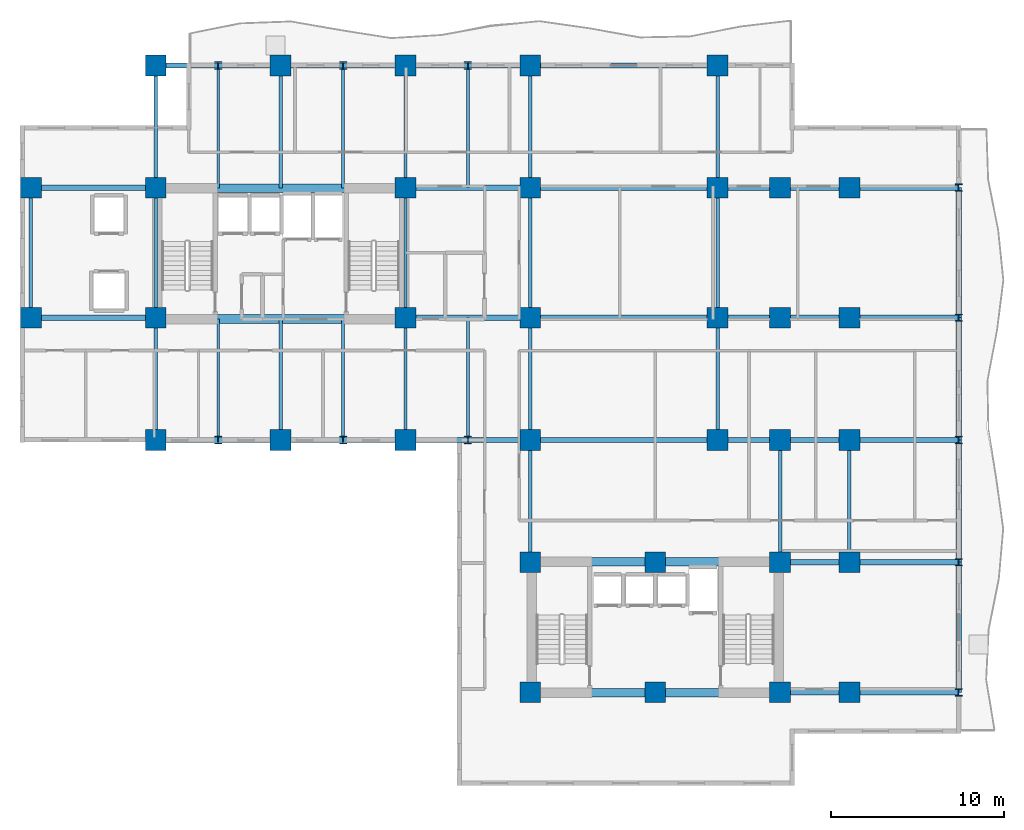
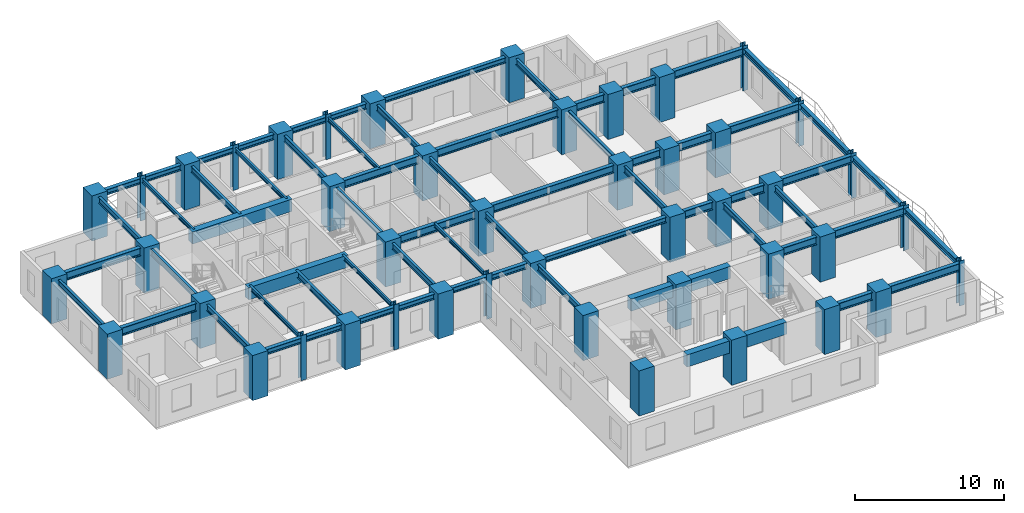
# One storey, part 1 of 11: 65 beams, 45 columns.
"""IFC4 building model written with IfcOpenShell, lengths in metres."""

from ifc_helpers import new_model, si_unit, direction, frame, origin, origin_2d, place, context, subcontext, project, spatial, rectangle, i_section, extrude, source, transform, mapped, material, material_profile, profile_set, type_object, element, save


model = new_model("IFC4")

# Units and contexts
model_context = context("Model", 3, precision=1e-05, world=origin(), true_north=direction((0.0, 1.0)))
body_context = subcontext(model_context, "Body", "Model", "MODEL_VIEW")
ifc_project = project(units=[si_unit("LENGTHUNIT", "METRE"), si_unit("AREAUNIT", "SQUARE_METRE"), si_unit("VOLUMEUNIT", "CUBIC_METRE"), si_unit("PLANEANGLEUNIT", "RADIAN"), si_unit("MASSUNIT", "GRAM", prefix="KILO")], contexts=[model_context])

# Site, building, storey
site_placement = place(None, origin())
site = spatial("IfcSite", under=ifc_project, at=site_placement, CompositionType="ELEMENT")
building_placement = place(site_placement, origin())
building = spatial("IfcBuilding", under=site, at=building_placement, Name="Kaliganga Portal Commons", CompositionType="ELEMENT")
storey_placement = place(building_placement, frame((0.0, 0.0, 115.60009765625)))
storey = spatial("IfcBuildingStorey", under=building, at=storey_placement, Name="L29", CompositionType="ELEMENT", Elevation=115.60009765625)

# Columns
ifc_material_1 = material(Name="Concrete C60/75", Category="concrete")
ifc_material_profile_1 = material_profile(ifc_material_1, rectangle(XDim=1.199951171875, YDim=1.199951171875, at=origin_2d()), Name="RC 1200x1200")
ifc_profile_set_1 = profile_set([ifc_material_profile_1], Name="Concrete C60/75")
column_type_1 = type_object("IfcColumnType", Name="COL-MEGA-Z2", PredefinedType="COLUMN", material=ifc_profile_set_1)
shared_shape_1 = source(origin(), body_context, "Body", "SweptSolid", [
    extrude(rectangle(XDim=1.199951171875, YDim=1.199951171875, at=origin_2d()), origin(), (0.0, 0.0, 1.0), 3.699951171875),
])
for number, where, z_axis, x_axis, name in (
    (1, (7.199951171875, 28.64990234375, 0.0), (0.0, 0.0, 1.0), (1.0, 0.0, 0.0), "Column MC-03 L29"),
    (2, (7.199951171875, 36.14990234375, 0.0), (0.0, 0.0, 1.0), (1.0, 0.0, 0.0), "Column MC-03 L29"),
    (3, (14.39990234375, 21.60009765625, 0.0), (0.0, 0.0, 1.0), (1.0, 0.0, 0.0), "Column MC-03 L29"),
    (4, (14.39990234375, 28.64990234375, 0.0), (0.0, 0.0, 1.0), (1.0, 0.0, 0.0), "Column MC-03 L29"),
    (5, (14.39990234375, 36.14990234375, 0.0), (0.0, 0.0, 1.0), (1.0, 0.0, 0.0), "Column MC-03 L29"),
    (6, (14.39990234375, 43.199951171875, 0.0), (0.0, 0.0, 1.0), (1.0, 0.0, 0.0), "Column MC-03 L29"),
    (7, (21.60009765625, 21.60009765625, 0.0), (0.0, 0.0, 1.0), (1.0, 0.0, 0.0), "Column MC-03 L29"),
    (8, (21.60009765625, 43.199951171875, 0.0), (0.0, 0.0, 1.0), (1.0, 0.0, 0.0), "Column MC-03 L29"),
    (9, (28.800048828125, 21.60009765625, 0.0), (0.0, 0.0, 1.0), (1.0, 0.0, 0.0), "Column MC-03 L29"),
    (10, (28.800048828125, 28.64990234375, 0.0), (0.0, 0.0, 1.0), (1.0, 0.0, 0.0), "Column MC-03 L29"),
    (11, (28.800048828125, 36.14990234375, 0.0), (0.0, 0.0, 1.0), (1.0, 0.0, 0.0), "Column MC-03 L29"),
    (12, (28.800048828125, 43.199951171875, 0.0), (0.0, 0.0, 1.0), (1.0, 0.0, 0.0), "Column MC-03 L29"),
    (13, (36.0, 21.60009765625, 0.0), (0.0, 0.0, 1.0), (1.0, 0.0, 0.0), "Column MC-03 L29"),
    (14, (36.0, 43.199951171875, 0.0), (0.0, 0.0, 1.0), (1.0, 0.0, 0.0), "Column MC-03 L29"),
    (15, (36.0, 28.64990234375, 0.0), (0.0, 0.0, 1.0), (1.0, 0.0, 0.0), "Column MC-03 L29"),
    (16, (36.0, 36.14990234375, 0.0), (0.0, 0.0, 1.0), (1.0, 0.0, 0.0), "Column MC-03 L29"),
    (17, (46.800048828125, 21.60009765625, 0.0), (0.0, 0.0, 1.0), (1.0, 0.0, 0.0), "Column MC-03 L29"),
    (18, (46.800048828125, 28.64990234375, 0.0), (0.0, 0.0, 1.0), (1.0, 0.0, 0.0), "Column MC-03 L29"),
    (19, (46.800048828125, 36.14990234375, 0.0), (0.0, 0.0, 1.0), (1.0, 0.0, 0.0), "Column MC-03 L29"),
    (20, (46.800048828125, 43.199951171875, 0.0), (0.0, 0.0, 1.0), (1.0, 0.0, 0.0), "Column MC-03 L29"),
    (21, (36.0, 7.050048828125, 0.0), (0.0, 0.0, 1.0), (1.0, 0.0, 0.0), "Column MC-03 L29"),
    (22, (36.0, 14.550048828125, 0.0), (0.0, 0.0, 1.0), (1.0, 0.0, 0.0), "Column MC-03 L29"),
    (23, (43.199951171875, 7.050048828125, 0.0), (0.0, 0.0, 1.0), (1.0, 0.0, 0.0), "Column MC-03 L29"),
    (24, (43.199951171875, 14.550048828125, 0.0), (0.0, 0.0, 1.0), (1.0, 0.0, 0.0), "Column MC-03 L29"),
    (25, (50.39990234375, 7.050048828125, 0.0), (0.0, 0.0, 1.0), (1.0, 0.0, 0.0), "Column MC-03 L29"),
    (26, (50.39990234375, 14.550048828125, 0.0), (0.0, 0.0, 1.0), (1.0, 0.0, 0.0), "Column MC-03 L29"),
    (27, (50.39990234375, 21.60009765625, 0.0), (0.0, 0.0, 1.0), (1.0, 0.0, 0.0), "Column MC-03 L29"),
    (28, (50.39990234375, 28.64990234375, 0.0), (0.0, 0.0, 1.0), (1.0, 0.0, 0.0), "Column MC-03 L29"),
    (29, (50.39990234375, 36.14990234375, 0.0), (0.0, 0.0, 1.0), (1.0, 0.0, 0.0), "Column MC-03 L29"),
    (30, (54.39990234375, 7.050048828125, 0.0), (0.0, 0.0, 1.0), (1.0, 0.0, 0.0), "Column MC-03 L29"),
    (31, (54.39990234375, 14.550048828125, 0.0), (0.0, 0.0, 1.0), (1.0, 0.0, 0.0), "Column MC-03 L29"),
    (32, (54.39990234375, 21.60009765625, 0.0), (0.0, 0.0, 1.0), (1.0, 0.0, 0.0), "Column MC-03 L29"),
    (33, (54.39990234375, 28.64990234375, 0.0), (0.0, 0.0, 1.0), (1.0, 0.0, 0.0), "Column MC-03 L29"),
    (34, (54.39990234375, 36.14990234375, 0.0), (0.0, 0.0, 1.0), (1.0, 0.0, 0.0), "Column MC-03 L29"),
):
    element("IfcColumn", number, at=place(storey_placement, frame(where, z_axis=z_axis, x_axis=x_axis)), inside=storey, type_object=column_type_1, Name=name, PredefinedType="COLUMN", context=body_context, shape_type="MappedRepresentation", body=[
        mapped(shared_shape_1, transform((0.0, 0.0, 0.0), x_axis=(1.0, 0.0, 0.0), y_axis=(0.0, 1.0, 0.0), z_axis=(0.0, 0.0, 1.0), scale=1.0)),
    ])
ifc_material_2 = material(Name="Structural steel S460M", Category="steel")
ifc_material_profile_2 = material_profile(ifc_material_2, i_section(OverallWidth=0.408935546875, OverallDepth=0.429931640625, WebThickness=0.0244140625, FlangeThickness=0.033447265625, FilletRadius=0.014892578125, at=origin_2d()), Name="HD 400x421")
ifc_profile_set_2 = profile_set([ifc_material_profile_2], Name="Structural steel S460M wide-flange")
column_type_2 = type_object("IfcColumnType", Name="COL-TUBE-B2", PredefinedType="COLUMN", material=ifc_profile_set_2)
shared_shape_2 = source(origin(), body_context, "Body", "SweptSolid", [
    extrude(i_section(OverallWidth=0.408935546875, OverallDepth=0.429931640625, WebThickness=0.0244140625, FlangeThickness=0.033447265625, FilletRadius=0.014892578125, at=origin_2d()), origin(), (0.0, 0.0, 1.0), 3.699951171875),
])
for number, where, z_axis, x_axis, name in (
    (35, (18.0, 21.60009765625, 0.0), (0.0, 0.0, 1.0), (1.0, 0.0, 0.0), "Column TC-02 L29"),
    (36, (18.0, 43.199951171875, 0.0), (0.0, 0.0, 1.0), (1.0, 0.0, 0.0), "Column TC-02 L29"),
    (37, (25.199951171875, 21.60009765625, 0.0), (0.0, 0.0, 1.0), (1.0, 0.0, 0.0), "Column TC-02 L29"),
    (38, (25.199951171875, 43.199951171875, 0.0), (0.0, 0.0, 1.0), (1.0, 0.0, 0.0), "Column TC-02 L29"),
    (39, (32.39990234375, 21.60009765625, 0.0), (0.0, 0.0, 1.0), (1.0, 0.0, 0.0), "Column TC-02 L29"),
    (40, (32.39990234375, 43.199951171875, 0.0), (0.0, 0.0, 1.0), (1.0, 0.0, 0.0), "Column TC-02 L29"),
    (41, (60.699951171875, 7.050048828125, 0.0), (0.0, 0.0, 1.0), (1.0, 0.0, 0.0), "Column TC-02 L29"),
    (42, (60.699951171875, 14.550048828125, 0.0), (0.0, 0.0, 1.0), (1.0, 0.0, 0.0), "Column TC-02 L29"),
    (43, (60.699951171875, 21.60009765625, 0.0), (0.0, 0.0, 1.0), (1.0, 0.0, 0.0), "Column TC-02 L29"),
    (44, (60.699951171875, 28.64990234375, 0.0), (0.0, 0.0, 1.0), (1.0, 0.0, 0.0), "Column TC-02 L29"),
    (45, (60.699951171875, 36.14990234375, 0.0), (0.0, 0.0, 1.0), (1.0, 0.0, 0.0), "Column TC-02 L29"),
):
    element("IfcColumn", number, at=place(storey_placement, frame(where, z_axis=z_axis, x_axis=x_axis)), inside=storey, type_object=column_type_2, Name=name, PredefinedType="COLUMN", context=body_context, shape_type="MappedRepresentation", body=[
        mapped(shared_shape_2, transform((0.0, 0.0, 0.0), x_axis=(1.0, 0.0, 0.0), y_axis=(0.0, 1.0, 0.0), z_axis=(0.0, 0.0, 1.0), scale=1.0)),
    ])

# Beams
ifc_material_3 = material(Name="Concrete C50/60", Category="concrete")
ifc_material_profile_3 = material_profile(ifc_material_3, rectangle(XDim=0.5, YDim=1.0, at=origin_2d()), Name="RC 500x1000")
ifc_profile_set_3 = profile_set([ifc_material_profile_3], Name="Concrete C50/60")
beam_type_1 = type_object("IfcBeamType", Name="BM-CPL-1000", PredefinedType="LINTEL", material=ifc_profile_set_3)
shared_shape_3 = source(origin(), body_context, "Body", "SweptSolid", [
    extrude(rectangle(XDim=0.5, YDim=1.0, at=origin_2d()), origin(), (0.0, 0.0, 1.0), 7.739990234375),
])
for number, where, z_axis, x_axis, name in (
    (46, (17.72998046875, 28.574951171875, 2.949951171875), (1.0, 0.0, 0.0), (0.0, 1.0, 0.0), "BM CPL COREA L29 S"),
    (47, (17.72998046875, 36.125, 2.949951171875), (1.0, 0.0, 0.0), (0.0, 1.0, 0.0), "BM CPL COREA L29 N"),
    (48, (39.330078125, 7.02490234375, 2.949951171875), (1.0, 0.0, 0.0), (0.0, 1.0, 0.0), "BM CPL COREB L29 S"),
    (49, (39.330078125, 14.574951171875, 2.949951171875), (1.0, 0.0, 0.0), (0.0, 1.0, 0.0), "BM CPL COREB L29 N"),
):
    element("IfcBeam", number, at=place(storey_placement, frame(where, z_axis=z_axis, x_axis=x_axis)), inside=storey, type_object=beam_type_1, Name=name, PredefinedType="LINTEL", context=body_context, shape_type="MappedRepresentation", body=[
        mapped(shared_shape_3, transform((0.0, 0.0, 0.0), x_axis=(1.0, 0.0, 0.0), y_axis=(0.0, 1.0, 0.0), z_axis=(0.0, 0.0, 1.0), scale=1.0)),
    ])
ifc_material_4 = material(Name="Structural steel S355J2", Category="steel")
ifc_material_profile_4 = material_profile(ifc_material_4, i_section(OverallWidth=0.300048828125, OverallDepth=0.64990234375, WebThickness=0.01611328125, FlangeThickness=0.031005859375, FilletRadius=0.027099609375, at=origin_2d()), Name="HE 650 B")
ifc_profile_set_4 = profile_set([ifc_material_profile_4], Name="Structural steel S355J2 wide-flange")
beam_type_2 = type_object("IfcBeamType", Name="BM-GIRD-650", PredefinedType="USERDEFINED", material=ifc_profile_set_4)
shared_shape_4 = source(origin(), body_context, "Body", "SweptSolid", [
    extrude(i_section(OverallWidth=0.300048828125, OverallDepth=0.64990234375, WebThickness=0.01611328125, FlangeThickness=0.031005859375, FilletRadius=0.027099609375, at=origin_2d()), origin(), (0.0, 0.0, 1.0), 3.599853515625),
])
for number, where, z_axis, x_axis, name in (
    (50, (46.800048828125, 21.60009765625, 3.125), (1.0, 0.0, 0.0), (0.0, 1.0, 0.0), "BM G L29 BKE216 1"),
    (51, (46.800048828125, 28.64990234375, 3.125), (1.0, 0.0, 0.0), (0.0, 1.0, 0.0), "BM G L29 BKE286 1"),
    (52, (46.800048828125, 36.14990234375, 3.125), (1.0, 0.0, 0.0), (0.0, 1.0, 0.0), "BM G L29 BKE362 1"),
):
    element("IfcBeam", number, at=place(storey_placement, frame(where, z_axis=z_axis, x_axis=x_axis)), inside=storey, type_object=beam_type_2, Name=name, ObjectType="GIRDER", PredefinedType="USERDEFINED", context=body_context, shape_type="MappedRepresentation", body=[
        mapped(shared_shape_4, transform((0.0, 0.0, 0.0), x_axis=(1.0, 0.0, 0.0), y_axis=(0.0, 1.0, 0.0), z_axis=(0.0, 0.0, 1.0), scale=1.0)),
    ])
shared_shape_5 = source(origin(), body_context, "Body", "SweptSolid", [
    extrude(i_section(OverallWidth=0.300048828125, OverallDepth=0.64990234375, WebThickness=0.01611328125, FlangeThickness=0.031005859375, FilletRadius=0.027099609375, at=origin_2d()), origin(), (0.0, 0.0, 1.0), 7.199951171875),
])
for number, where, z_axis, x_axis, name in (
    (53, (7.199951171875, 28.64990234375, 3.125), (1.0, 0.0, 0.0), (0.0, 1.0, 0.0), "BM G L29 WAH_S 1"),
    (54, (7.199951171875, 36.14990234375, 3.125), (1.0, 0.0, 0.0), (0.0, 1.0, 0.0), "BM G L29 WAH_N 1"),
    (55, (28.800048828125, 28.64990234375, 3.125), (1.0, 0.0, 0.0), (0.0, 1.0, 0.0), "BM G L29 WAE_S 1"),
    (56, (28.800048828125, 36.14990234375, 3.125), (1.0, 0.0, 0.0), (0.0, 1.0, 0.0), "BM G L29 WAE_N 1"),
):
    element("IfcBeam", number, at=place(storey_placement, frame(where, z_axis=z_axis, x_axis=x_axis)), inside=storey, type_object=beam_type_2, Name=name, ObjectType="GIRDER", PredefinedType="USERDEFINED", context=body_context, shape_type="MappedRepresentation", body=[
        mapped(shared_shape_5, transform((0.0, 0.0, 0.0), x_axis=(1.0, 0.0, 0.0), y_axis=(0.0, 1.0, 0.0), z_axis=(0.0, 0.0, 1.0), scale=1.0)),
    ])
shared_shape_6 = source(origin(), body_context, "Body", "SweptSolid", [
    extrude(i_section(OverallWidth=0.300048828125, OverallDepth=0.64990234375, WebThickness=0.01611328125, FlangeThickness=0.031005859375, FilletRadius=0.027099609375, at=origin_2d()), origin(), (0.0, 0.0, 1.0), 10.800048828125),
])
for number, where, z_axis, x_axis, name in (
    (57, (36.0, 28.64990234375, 3.125), (1.0, 0.0, 0.0), (0.0, 1.0, 0.0), "BM G L29 WAE_S 2"),
    (58, (36.0, 36.14990234375, 3.125), (1.0, 0.0, 0.0), (0.0, 1.0, 0.0), "BM G L29 WAE_N 2"),
):
    element("IfcBeam", number, at=place(storey_placement, frame(where, z_axis=z_axis, x_axis=x_axis)), inside=storey, type_object=beam_type_2, Name=name, ObjectType="GIRDER", PredefinedType="USERDEFINED", context=body_context, shape_type="MappedRepresentation", body=[
        mapped(shared_shape_6, transform((0.0, 0.0, 0.0), x_axis=(1.0, 0.0, 0.0), y_axis=(0.0, 1.0, 0.0), z_axis=(0.0, 0.0, 1.0), scale=1.0)),
    ])
shared_shape_7 = source(origin(), body_context, "Body", "SweptSolid", [
    extrude(i_section(OverallWidth=0.300048828125, OverallDepth=0.64990234375, WebThickness=0.01611328125, FlangeThickness=0.031005859375, FilletRadius=0.027099609375, at=origin_2d()), origin(), (0.0, 0.0, 1.0), 4.0),
])
for number, where, z_axis, x_axis, name in (
    (59, (50.39990234375, 7.050048828125, 3.125), (1.0, 0.0, 0.0), (0.0, 1.0, 0.0), "BM G L29 BKE70 1"),
    (60, (50.39990234375, 14.550048828125, 3.125), (1.0, 0.0, 0.0), (0.0, 1.0, 0.0), "BM G L29 BKE146 1"),
    (61, (50.39990234375, 21.60009765625, 3.125), (1.0, 0.0, 0.0), (0.0, 1.0, 0.0), "BM G L29 BKE216 2"),
    (62, (50.39990234375, 28.64990234375, 3.125), (1.0, 0.0, 0.0), (0.0, 1.0, 0.0), "BM G L29 BKE286 2"),
    (63, (50.39990234375, 36.14990234375, 3.125), (1.0, 0.0, 0.0), (0.0, 1.0, 0.0), "BM G L29 BKE362 2"),
):
    element("IfcBeam", number, at=place(storey_placement, frame(where, z_axis=z_axis, x_axis=x_axis)), inside=storey, type_object=beam_type_2, Name=name, ObjectType="GIRDER", PredefinedType="USERDEFINED", context=body_context, shape_type="MappedRepresentation", body=[
        mapped(shared_shape_7, transform((0.0, 0.0, 0.0), x_axis=(1.0, 0.0, 0.0), y_axis=(0.0, 1.0, 0.0), z_axis=(0.0, 0.0, 1.0), scale=1.0)),
    ])
ifc_material_profile_5 = material_profile(ifc_material_4, i_section(OverallWidth=0.199951171875, OverallDepth=0.5, WebThickness=0.01025390625, FlangeThickness=0.01611328125, FilletRadius=0.02099609375, at=origin_2d()), Name="IPE 500")
ifc_profile_set_5 = profile_set([ifc_material_profile_5], Name="Structural steel S355J2 wide-flange")
beam_type_3 = type_object("IfcBeamType", Name="BM-FLR-500", PredefinedType="BEAM", material=ifc_profile_set_5)
shared_shape_8 = source(origin(), body_context, "Body", "SweptSolid", [
    extrude(i_section(OverallWidth=0.199951171875, OverallDepth=0.5, WebThickness=0.01025390625, FlangeThickness=0.01611328125, FilletRadius=0.02099609375, at=origin_2d()), origin(), (0.0, 0.0, 1.0), 7.5),
])
for number, where, z_axis, x_axis, name in (
    (64, (7.199951171875, 28.64990234375, 3.199951171875), (0.0, 1.0, 0.0), (-1.0, 0.0, 0.0), "BM G L29 AW72"),
    (65, (14.39990234375, 28.64990234375, 3.199951171875), (0.0, 1.0, 0.0), (-1.0, 0.0, 0.0), "BM G L29 AM144"),
    (66, (28.800048828125, 28.64990234375, 3.199951171875), (0.0, 1.0, 0.0), (-1.0, 0.0, 0.0), "BM G L29 AM288"),
    (67, (36.0, 28.64990234375, 3.199951171875), (0.0, 1.0, 0.0), (-1.0, 0.0, 0.0), "BM G L29 AM360"),
    (68, (46.800048828125, 28.64990234375, 3.199951171875), (0.0, 1.0, 0.0), (-1.0, 0.0, 0.0), "BM G L29 AM468"),
):
    element("IfcBeam", number, at=place(storey_placement, frame(where, z_axis=z_axis, x_axis=x_axis)), inside=storey, type_object=beam_type_3, Name=name, PredefinedType="BEAM", context=body_context, shape_type="MappedRepresentation", body=[
        mapped(shared_shape_8, transform((0.0, 0.0, 0.0), x_axis=(1.0, 0.0, 0.0), y_axis=(0.0, 1.0, 0.0), z_axis=(0.0, 0.0, 1.0), scale=1.0)),
    ])
shared_shape_9 = source(origin(), body_context, "Body", "SweptSolid", [
    extrude(i_section(OverallWidth=0.199951171875, OverallDepth=0.5, WebThickness=0.01025390625, FlangeThickness=0.01611328125, FilletRadius=0.02099609375, at=origin_2d()), origin(), (0.0, 0.0, 1.0), 7.050048828125),
])
for number, where, z_axis, x_axis, name in (
    (69, (14.39990234375, 36.14990234375, 3.199951171875), (0.0, 1.0, 0.0), (-1.0, 0.0, 0.0), "BM G L29 AN144"),
    (70, (28.800048828125, 36.14990234375, 3.199951171875), (0.0, 1.0, 0.0), (-1.0, 0.0, 0.0), "BM G L29 AN288"),
    (71, (36.0, 36.14990234375, 3.199951171875), (0.0, 1.0, 0.0), (-1.0, 0.0, 0.0), "BM G L29 AN360"),
    (72, (46.800048828125, 36.14990234375, 3.199951171875), (0.0, 1.0, 0.0), (-1.0, 0.0, 0.0), "BM G L29 AN468"),
    (73, (36.0, 14.550048828125, 3.199951171875), (0.0, 1.0, 0.0), (-1.0, 0.0, 0.0), "BM G L29 BNK360"),
    (74, (50.39990234375, 14.550048828125, 3.199951171875), (0.0, 1.0, 0.0), (-1.0, 0.0, 0.0), "BM G L29 BNK504"),
    (75, (54.39990234375, 14.550048828125, 3.199951171875), (0.0, 1.0, 0.0), (-1.0, 0.0, 0.0), "BM G L29 BNK544"),
):
    element("IfcBeam", number, at=place(storey_placement, frame(where, z_axis=z_axis, x_axis=x_axis)), inside=storey, type_object=beam_type_3, Name=name, PredefinedType="BEAM", context=body_context, shape_type="MappedRepresentation", body=[
        mapped(shared_shape_9, transform((0.0, 0.0, 0.0), x_axis=(1.0, 0.0, 0.0), y_axis=(0.0, 1.0, 0.0), z_axis=(0.0, 0.0, 1.0), scale=1.0)),
    ])
shared_shape_10 = source(origin(), body_context, "Body", "SweptSolid", [
    extrude(i_section(OverallWidth=0.199951171875, OverallDepth=0.5, WebThickness=0.01025390625, FlangeThickness=0.01611328125, FilletRadius=0.02099609375, at=origin_2d()), origin(), (0.0, 0.0, 1.0), 7.0498046875),
])
for number, where, z_axis, x_axis, name in (
    (76, (14.39990234375, 21.60009765625, 3.199951171875), (0.0, 1.0, 0.0), (-1.0, 0.0, 0.0), "BM G L29 AS144"),
    (77, (28.800048828125, 21.60009765625, 3.199951171875), (0.0, 1.0, 0.0), (-1.0, 0.0, 0.0), "BM G L29 AS288"),
    (78, (36.0, 21.60009765625, 3.199951171875), (0.0, 1.0, 0.0), (-1.0, 0.0, 0.0), "BM G L29 AS360"),
    (79, (46.800048828125, 21.60009765625, 3.199951171875), (0.0, 1.0, 0.0), (-1.0, 0.0, 0.0), "BM G L29 AS468"),
):
    element("IfcBeam", number, at=place(storey_placement, frame(where, z_axis=z_axis, x_axis=x_axis)), inside=storey, type_object=beam_type_3, Name=name, PredefinedType="BEAM", context=body_context, shape_type="MappedRepresentation", body=[
        mapped(shared_shape_10, transform((0.0, 0.0, 0.0), x_axis=(1.0, 0.0, 0.0), y_axis=(0.0, 1.0, 0.0), z_axis=(0.0, 0.0, 1.0), scale=1.0)),
    ])
shared_shape_11 = source(origin(), body_context, "Body", "SweptSolid", [
    extrude(i_section(OverallWidth=0.199951171875, OverallDepth=0.5, WebThickness=0.01025390625, FlangeThickness=0.01611328125, FilletRadius=0.02099609375, at=origin_2d()), origin(), (0.0, 0.0, 1.0), 7.074951171875),
])
beam_1_placement = place(storey_placement, frame((21.60009765625, 36.125, 3.199951171875), z_axis=(0.0, 1.0, 0.0), x_axis=(-1.0, 0.0, 0.0)))
element("IfcBeam", 80, at=beam_1_placement, inside=storey, type_object=beam_type_3, Name="BM G L29 AN216", PredefinedType="BEAM", context=body_context, shape_type="MappedRepresentation", body=[
    mapped(shared_shape_11, transform((0.0, 0.0, 0.0), x_axis=(1.0, 0.0, 0.0), y_axis=(0.0, 1.0, 0.0), z_axis=(0.0, 0.0, 1.0), scale=1.0)),
])
shared_shape_12 = source(origin(), body_context, "Body", "SweptSolid", [
    extrude(i_section(OverallWidth=0.199951171875, OverallDepth=0.5, WebThickness=0.01025390625, FlangeThickness=0.01611328125, FilletRadius=0.02099609375, at=origin_2d()), origin(), (0.0, 0.0, 1.0), 6.974853515625),
])
beam_2_placement = place(storey_placement, frame((21.60009765625, 21.60009765625, 3.199951171875), z_axis=(0.0, 1.0, 0.0), x_axis=(-1.0, 0.0, 0.0)))
element("IfcBeam", 81, at=beam_2_placement, inside=storey, type_object=beam_type_3, Name="BM G L29 AS216", PredefinedType="BEAM", context=body_context, shape_type="MappedRepresentation", body=[
    mapped(shared_shape_12, transform((0.0, 0.0, 0.0), x_axis=(1.0, 0.0, 0.0), y_axis=(0.0, 1.0, 0.0), z_axis=(0.0, 0.0, 1.0), scale=1.0)),
])
shared_shape_13 = source(origin(), body_context, "Body", "SweptSolid", [
    extrude(i_section(OverallWidth=0.300048828125, OverallDepth=0.64990234375, WebThickness=0.01611328125, FlangeThickness=0.031005859375, FilletRadius=0.027099609375, at=origin_2d()), origin(), (0.0, 0.0, 1.0), 6.300048828125),
])
for number, where, z_axis, x_axis, name in (
    (82, (54.39990234375, 7.050048828125, 3.125), (1.0, 0.0, 0.0), (0.0, 1.0, 0.0), "BM G L29 BKE70 2"),
    (83, (54.39990234375, 14.550048828125, 3.125), (1.0, 0.0, 0.0), (0.0, 1.0, 0.0), "BM G L29 BKE146 2"),
    (84, (54.39990234375, 21.60009765625, 3.125), (1.0, 0.0, 0.0), (0.0, 1.0, 0.0), "BM G L29 BKE216 3"),
    (85, (54.39990234375, 28.64990234375, 3.125), (1.0, 0.0, 0.0), (0.0, 1.0, 0.0), "BM G L29 BKE286 3"),
    (86, (54.39990234375, 36.14990234375, 3.125), (1.0, 0.0, 0.0), (0.0, 1.0, 0.0), "BM G L29 BKE362 3"),
):
    element("IfcBeam", number, at=place(storey_placement, frame(where, z_axis=z_axis, x_axis=x_axis)), inside=storey, type_object=beam_type_2, Name=name, ObjectType="GIRDER", PredefinedType="USERDEFINED", context=body_context, shape_type="MappedRepresentation", body=[
        mapped(shared_shape_13, transform((0.0, 0.0, 0.0), x_axis=(1.0, 0.0, 0.0), y_axis=(0.0, 1.0, 0.0), z_axis=(0.0, 0.0, 1.0), scale=1.0)),
    ])
ifc_material_profile_6 = material_profile(ifc_material_4, i_section(OverallWidth=0.300048828125, OverallDepth=0.449951171875, WebThickness=0.013916015625, FlangeThickness=0.02587890625, FilletRadius=0.027099609375, at=origin_2d()), Name="HE 450 B")
ifc_profile_set_6 = profile_set([ifc_material_profile_6], Name="Structural steel S355J2 wide-flange")
beam_type_4 = type_object("IfcBeamType", Name="BM-SPAND-450", PredefinedType="SPANDREL", material=ifc_profile_set_6)
shared_shape_14 = source(origin(), body_context, "Body", "SweptSolid", [
    extrude(i_section(OverallWidth=0.300048828125, OverallDepth=0.449951171875, WebThickness=0.013916015625, FlangeThickness=0.02587890625, FilletRadius=0.027099609375, at=origin_2d()), origin(), (0.0, 0.0, 1.0), 3.60009765625),
])
for number, where, z_axis, x_axis, name in (
    (87, (14.39990234375, 43.199951171875, 3.224853515625), (1.0, 0.0, 0.0), (0.0, 1.0, 0.0), "BM SP L29 AN 1"),
    (88, (18.0, 43.199951171875, 3.224853515625), (1.0, 0.0, 0.0), (0.0, 1.0, 0.0), "BM SP L29 AN 2"),
    (89, (25.199951171875, 43.199951171875, 3.224853515625), (1.0, 0.0, 0.0), (0.0, 1.0, 0.0), "BM SP L29 AN 4"),
    (90, (32.39990234375, 43.199951171875, 3.224853515625), (1.0, 0.0, 0.0), (0.0, 1.0, 0.0), "BM SP L29 AN 6"),
    (91, (14.39990234375, 21.60009765625, 3.224853515625), (1.0, 0.0, 0.0), (0.0, 1.0, 0.0), "BM SP L29 AS 1"),
    (92, (18.0, 21.60009765625, 3.224853515625), (1.0, 0.0, 0.0), (0.0, 1.0, 0.0), "BM SP L29 AS 2"),
    (93, (25.199951171875, 21.60009765625, 3.224853515625), (1.0, 0.0, 0.0), (0.0, 1.0, 0.0), "BM SP L29 AS 4"),
    (94, (32.39990234375, 21.60009765625, 3.224853515625), (1.0, 0.0, 0.0), (0.0, 1.0, 0.0), "BM SP L29 AS 6"),
):
    element("IfcBeam", number, at=place(storey_placement, frame(where, z_axis=z_axis, x_axis=x_axis)), inside=storey, type_object=beam_type_4, Name=name, PredefinedType="SPANDREL", context=body_context, shape_type="MappedRepresentation", body=[
        mapped(shared_shape_14, transform((0.0, 0.0, 0.0), x_axis=(1.0, 0.0, 0.0), y_axis=(0.0, 1.0, 0.0), z_axis=(0.0, 0.0, 1.0), scale=1.0)),
    ])
shared_shape_15 = source(origin(), body_context, "Body", "SweptSolid", [
    extrude(i_section(OverallWidth=0.300048828125, OverallDepth=0.449951171875, WebThickness=0.013916015625, FlangeThickness=0.02587890625, FilletRadius=0.027099609375, at=origin_2d()), origin(), (0.0, 0.0, 1.0), 3.599853515625),
])
for number, where, z_axis, x_axis, name in (
    (95, (21.60009765625, 43.199951171875, 3.224853515625), (1.0, 0.0, 0.0), (0.0, 1.0, 0.0), "BM SP L29 AN 3"),
    (96, (28.800048828125, 43.199951171875, 3.224853515625), (1.0, 0.0, 0.0), (0.0, 1.0, 0.0), "BM SP L29 AN 5"),
    (97, (21.60009765625, 21.60009765625, 3.224853515625), (1.0, 0.0, 0.0), (0.0, 1.0, 0.0), "BM SP L29 AS 3"),
    (98, (28.800048828125, 21.60009765625, 3.224853515625), (1.0, 0.0, 0.0), (0.0, 1.0, 0.0), "BM SP L29 AS 5"),
):
    element("IfcBeam", number, at=place(storey_placement, frame(where, z_axis=z_axis, x_axis=x_axis)), inside=storey, type_object=beam_type_4, Name=name, PredefinedType="SPANDREL", context=body_context, shape_type="MappedRepresentation", body=[
        mapped(shared_shape_15, transform((0.0, 0.0, 0.0), x_axis=(1.0, 0.0, 0.0), y_axis=(0.0, 1.0, 0.0), z_axis=(0.0, 0.0, 1.0), scale=1.0)),
    ])
shared_shape_16 = source(origin(), body_context, "Body", "SweptSolid", [
    extrude(i_section(OverallWidth=0.300048828125, OverallDepth=0.449951171875, WebThickness=0.013916015625, FlangeThickness=0.02587890625, FilletRadius=0.027099609375, at=origin_2d()), origin(), (0.0, 0.0, 1.0), 10.800048828125),
])
for number, where, z_axis, x_axis, name in (
    (99, (36.0, 43.199951171875, 3.224853515625), (1.0, 0.0, 0.0), (0.0, 1.0, 0.0), "BM SP L29 AN 7"),
    (100, (36.0, 21.60009765625, 3.224853515625), (1.0, 0.0, 0.0), (0.0, 1.0, 0.0), "BM SP L29 AS 7"),
):
    element("IfcBeam", number, at=place(storey_placement, frame(where, z_axis=z_axis, x_axis=x_axis)), inside=storey, type_object=beam_type_4, Name=name, PredefinedType="SPANDREL", context=body_context, shape_type="MappedRepresentation", body=[
        mapped(shared_shape_16, transform((0.0, 0.0, 0.0), x_axis=(1.0, 0.0, 0.0), y_axis=(0.0, 1.0, 0.0), z_axis=(0.0, 0.0, 1.0), scale=1.0)),
    ])
ifc_material_profile_7 = material_profile(ifc_material_4, i_section(OverallWidth=0.159912109375, OverallDepth=0.330078125, WebThickness=0.007568359375, FlangeThickness=0.011474609375, FilletRadius=0.01806640625, at=origin_2d()), Name="IPE 330")
ifc_profile_set_7 = profile_set([ifc_material_profile_7], Name="Structural steel S355J2 wide-flange")
beam_type_5 = type_object("IfcBeamType", Name="BM-JST-330", PredefinedType="JOIST", material=ifc_profile_set_7)
shared_shape_17 = source(origin(), body_context, "Body", "SweptSolid", [
    extrude(i_section(OverallWidth=0.159912109375, OverallDepth=0.330078125, WebThickness=0.007568359375, FlangeThickness=0.011474609375, FilletRadius=0.01806640625, at=origin_2d()), origin(), (0.0, 0.0, 1.0), 7.074951171875),
])
for number, where, z_axis, x_axis, name in (
    (101, (18.0, 36.125, 3.284912109375), (0.0, 1.0, 0.0), (-1.0, 0.0, 0.0), "BM G L29 AN180"),
    (102, (25.199951171875, 36.125, 3.284912109375), (0.0, 1.0, 0.0), (-1.0, 0.0, 0.0), "BM G L29 AN252"),
):
    element("IfcBeam", number, at=place(storey_placement, frame(where, z_axis=z_axis, x_axis=x_axis)), inside=storey, type_object=beam_type_5, Name=name, PredefinedType="JOIST", context=body_context, shape_type="MappedRepresentation", body=[
        mapped(shared_shape_17, transform((0.0, 0.0, 0.0), x_axis=(1.0, 0.0, 0.0), y_axis=(0.0, 1.0, 0.0), z_axis=(0.0, 0.0, 1.0), scale=1.0)),
    ])
shared_shape_18 = source(origin(), body_context, "Body", "SweptSolid", [
    extrude(i_section(OverallWidth=0.159912109375, OverallDepth=0.330078125, WebThickness=0.007568359375, FlangeThickness=0.011474609375, FilletRadius=0.01806640625, at=origin_2d()), origin(), (0.0, 0.0, 1.0), 6.974853515625),
])
for number, where, z_axis, x_axis, name in (
    (103, (18.0, 21.60009765625, 3.284912109375), (0.0, 1.0, 0.0), (-1.0, 0.0, 0.0), "BM G L29 AS180"),
    (104, (25.199951171875, 21.60009765625, 3.284912109375), (0.0, 1.0, 0.0), (-1.0, 0.0, 0.0), "BM G L29 AS252"),
):
    element("IfcBeam", number, at=place(storey_placement, frame(where, z_axis=z_axis, x_axis=x_axis)), inside=storey, type_object=beam_type_5, Name=name, PredefinedType="JOIST", context=body_context, shape_type="MappedRepresentation", body=[
        mapped(shared_shape_18, transform((0.0, 0.0, 0.0), x_axis=(1.0, 0.0, 0.0), y_axis=(0.0, 1.0, 0.0), z_axis=(0.0, 0.0, 1.0), scale=1.0)),
    ])
shared_shape_19 = source(origin(), body_context, "Body", "SweptSolid", [
    extrude(i_section(OverallWidth=0.159912109375, OverallDepth=0.330078125, WebThickness=0.007568359375, FlangeThickness=0.011474609375, FilletRadius=0.01806640625, at=origin_2d()), origin(), (0.0, 0.0, 1.0), 7.050048828125),
])
beam_3_placement = place(storey_placement, frame((32.39990234375, 36.14990234375, 3.284912109375), z_axis=(0.0, 1.0, 0.0), x_axis=(-1.0, 0.0, 0.0)))
element("IfcBeam", 105, at=beam_3_placement, inside=storey, type_object=beam_type_5, Name="BM G L29 AN324", PredefinedType="JOIST", context=body_context, shape_type="MappedRepresentation", body=[
    mapped(shared_shape_19, transform((0.0, 0.0, 0.0), x_axis=(1.0, 0.0, 0.0), y_axis=(0.0, 1.0, 0.0), z_axis=(0.0, 0.0, 1.0), scale=1.0)),
])
shared_shape_20 = source(origin(), body_context, "Body", "SweptSolid", [
    extrude(i_section(OverallWidth=0.159912109375, OverallDepth=0.330078125, WebThickness=0.007568359375, FlangeThickness=0.011474609375, FilletRadius=0.01806640625, at=origin_2d()), origin(), (0.0, 0.0, 1.0), 7.0498046875),
])
beam_4_placement = place(storey_placement, frame((32.39990234375, 21.60009765625, 3.284912109375), z_axis=(0.0, 1.0, 0.0), x_axis=(-1.0, 0.0, 0.0)))
element("IfcBeam", 106, at=beam_4_placement, inside=storey, type_object=beam_type_5, Name="BM G L29 AS324", PredefinedType="JOIST", context=body_context, shape_type="MappedRepresentation", body=[
    mapped(shared_shape_20, transform((0.0, 0.0, 0.0), x_axis=(1.0, 0.0, 0.0), y_axis=(0.0, 1.0, 0.0), z_axis=(0.0, 0.0, 1.0), scale=1.0)),
])
shared_shape_21 = source(origin(), body_context, "Body", "SweptSolid", [
    extrude(i_section(OverallWidth=0.300048828125, OverallDepth=0.449951171875, WebThickness=0.013916015625, FlangeThickness=0.02587890625, FilletRadius=0.027099609375, at=origin_2d()), origin(), (0.0, 0.0, 1.0), 7.5),
])
for number, where, z_axis, x_axis, name in (
    (107, (60.699951171875, 7.050048828125, 3.224853515625), (0.0, 1.0, 0.0), (-1.0, 0.0, 0.0), "BM SP L29 BE 1"),
    (108, (60.699951171875, 28.64990234375, 3.224853515625), (0.0, 1.0, 0.0), (-1.0, 0.0, 0.0), "BM SP L29 BE 4"),
):
    element("IfcBeam", number, at=place(storey_placement, frame(where, z_axis=z_axis, x_axis=x_axis)), inside=storey, type_object=beam_type_4, Name=name, PredefinedType="SPANDREL", context=body_context, shape_type="MappedRepresentation", body=[
        mapped(shared_shape_21, transform((0.0, 0.0, 0.0), x_axis=(1.0, 0.0, 0.0), y_axis=(0.0, 1.0, 0.0), z_axis=(0.0, 0.0, 1.0), scale=1.0)),
    ])
shared_shape_22 = source(origin(), body_context, "Body", "SweptSolid", [
    extrude(i_section(OverallWidth=0.300048828125, OverallDepth=0.449951171875, WebThickness=0.013916015625, FlangeThickness=0.02587890625, FilletRadius=0.027099609375, at=origin_2d()), origin(), (0.0, 0.0, 1.0), 7.050048828125),
])
beam_5_placement = place(storey_placement, frame((60.699951171875, 14.550048828125, 3.224853515625), z_axis=(0.0, 1.0, 0.0), x_axis=(-1.0, 0.0, 0.0)))
element("IfcBeam", 109, at=beam_5_placement, inside=storey, type_object=beam_type_4, Name="BM SP L29 BE 2", PredefinedType="SPANDREL", context=body_context, shape_type="MappedRepresentation", body=[
    mapped(shared_shape_22, transform((0.0, 0.0, 0.0), x_axis=(1.0, 0.0, 0.0), y_axis=(0.0, 1.0, 0.0), z_axis=(0.0, 0.0, 1.0), scale=1.0)),
])
shared_shape_23 = source(origin(), body_context, "Body", "SweptSolid", [
    extrude(i_section(OverallWidth=0.300048828125, OverallDepth=0.449951171875, WebThickness=0.013916015625, FlangeThickness=0.02587890625, FilletRadius=0.027099609375, at=origin_2d()), origin(), (0.0, 0.0, 1.0), 7.0498046875),
])
beam_6_placement = place(storey_placement, frame((60.699951171875, 21.60009765625, 3.224853515625), z_axis=(0.0, 1.0, 0.0), x_axis=(-1.0, 0.0, 0.0)))
element("IfcBeam", 110, at=beam_6_placement, inside=storey, type_object=beam_type_4, Name="BM SP L29 BE 3", PredefinedType="SPANDREL", context=body_context, shape_type="MappedRepresentation", body=[
    mapped(shared_shape_23, transform((0.0, 0.0, 0.0), x_axis=(1.0, 0.0, 0.0), y_axis=(0.0, 1.0, 0.0), z_axis=(0.0, 0.0, 1.0), scale=1.0)),
])

save(model, "model.ifc")
